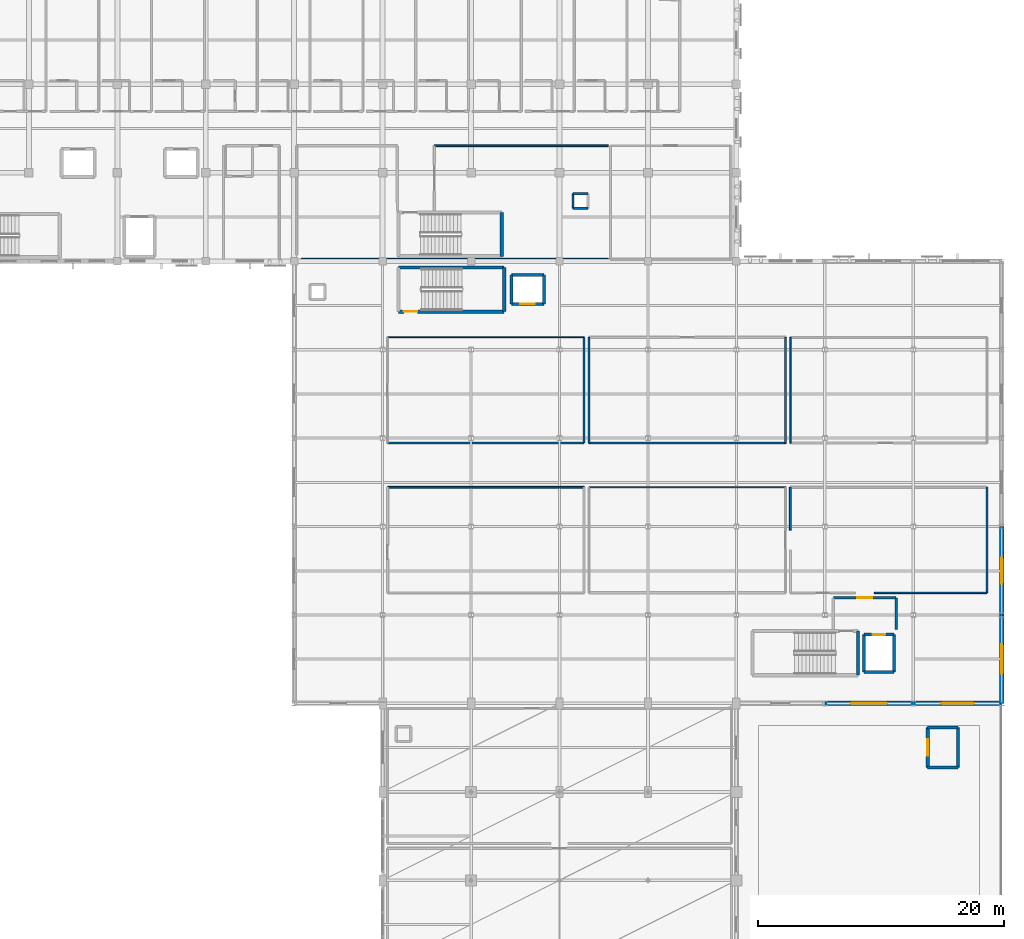
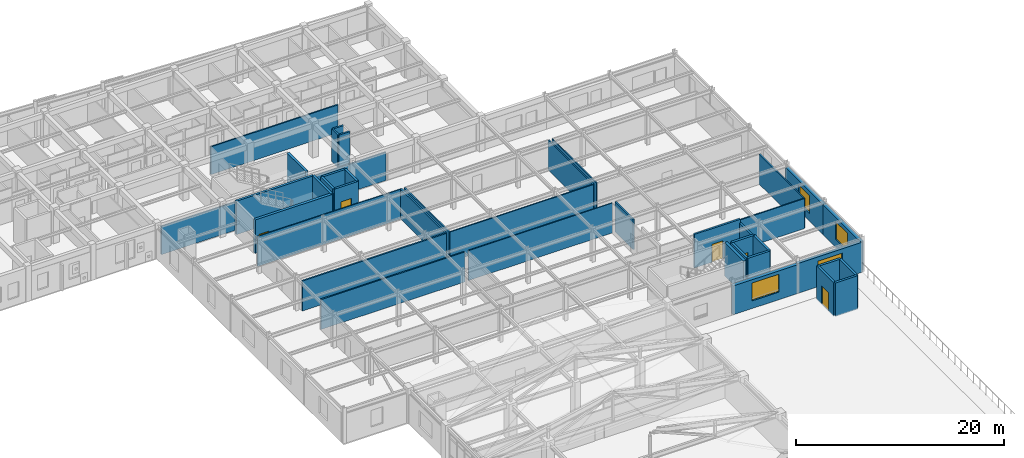
# One storey, part 99 of 113: 40 walls, 5 doors, 4 windows, 9 openings.
"""IFC4 building model written with IfcOpenShell, lengths in metres."""

from ifc_helpers import new_model, si_unit, direction, frame, frame_2d, origin, place, context, subcontext, project, spatial, rectangle, extrude, material, layer, layer_set, type_object, element, fill, save


model = new_model("IFC4")

# Units and contexts
model_context = context("Model", 3, precision=1e-05, world=origin(), true_north=direction((0.0, 1.0)))
body_context = subcontext(model_context, "Body", "Model", "MODEL_VIEW")
ifc_project = project(units=[si_unit("LENGTHUNIT", "METRE"), si_unit("AREAUNIT", "SQUARE_METRE"), si_unit("VOLUMEUNIT", "CUBIC_METRE"), si_unit("PLANEANGLEUNIT", "RADIAN"), si_unit("MASSUNIT", "GRAM", prefix="KILO")], contexts=[model_context])

# Site, building, storey
site_placement = place(None, origin())
site = spatial("IfcSite", under=ifc_project, at=site_placement, CompositionType="ELEMENT")
building_placement = place(site_placement, origin())
building = spatial("IfcBuilding", under=site, at=building_placement, Name="Carrowvane Square Congress Hotel", CompositionType="ELEMENT")
storey_placement = place(building_placement, frame((0.0, 0.0, 15.0)))
storey = spatial("IfcBuildingStorey", under=building, at=storey_placement, Name="L03", CompositionType="ELEMENT", Elevation=15.0)

# Wall, opening, window
ifc_material_1 = material(Name="Glazed terracotta rainscreen", Category="masonry")
ifc_layer_1 = layer(ifc_material_1, 0.360107421875)
ifc_layer_set_1 = layer_set([ifc_layer_1], Name="Glazed terracotta rainscreen")
wall_type_1 = type_object("IfcWallType", Name="WL-EXT-TC360", PredefinedType="STANDARD", material=ifc_layer_set_1)
wall_1_placement = place(storey_placement, frame((184.39990234375, 70.199951171875, 0.0), z_axis=(0.0, 0.0, 1.0), x_axis=(0.0, -1.0, 0.0)))
wall_1 = element("IfcWall", 1, at=wall_1_placement, inside=storey, type_object=wall_type_1, Name="L03 exterior facade wall 367", PredefinedType="STANDARD", context=body_context, shape_type="SweptSolid", body=[
    extrude(rectangle(XDim=7.199951171875, YDim=0.360107421875, at=frame_2d((3.60009765625, 0.0))), origin(), (0.0, 0.0, 1.0), 3.515625),
])
opening_1_placement = place(wall_1_placement, frame((2.550048828125, 0.0, 0.89990234375)))
opening_1 = element("IfcOpeningElement", 2, at=opening_1_placement, cuts=wall_1, Name="Opening W-11", PredefinedType="OPENING", context=body_context, shape_type="SweptSolid", body=[
    extrude(rectangle(XDim=2.10009765625, YDim=2.10009765625, at=frame_2d((1.050048828125, 1.050048828125))), frame((0.0, 0.18994140625, 0.0), z_axis=(0.0, -1.0, 0.0), x_axis=(1.0, 0.0, 0.0)), (0.0, 0.0, 1.0), 0.380126953125),
])
ifc_material_2 = material(Name="Double-glazed low-E glass", Category="glass")
window_type_1 = type_object("IfcWindowType", Name="WIN-11", PartitioningType="SINGLE_PANEL", PredefinedType="WINDOW", material=ifc_material_2)
window_1_placement = place(opening_1_placement, origin())
window_1 = element("IfcWindow", 3, at=window_1_placement, inside=storey, type_object=window_type_1, Name="L03 facade window 189", OverallHeight=2.10009765625, OverallWidth=2.10009765625, PartitioningType="SINGLE_PANEL", PredefinedType="WINDOW", context=body_context, shape_type="SweptSolid", body=[
    extrude(rectangle(XDim=2.10009765625, YDim=2.10009765625, at=frame_2d((1.050048828125, 1.050048828125))), frame((0.0, 0.030029296875, 0.0), z_axis=(0.0, -1.0, 0.0), x_axis=(1.0, 0.0, 0.0)), (0.0, 0.0, 1.0), 0.06005859375),
])
fill(opening_1, window_1)

wall_2_placement = place(storey_placement, frame((184.39990234375, 63.0, 0.0), z_axis=(0.0, 0.0, 1.0), x_axis=(0.0, -1.0, 0.0)))
wall_2 = element("IfcWall", 4, at=wall_2_placement, inside=storey, type_object=wall_type_1, Name="L03 exterior facade wall 368", PredefinedType="STANDARD", context=body_context, shape_type="SweptSolid", body=[
    extrude(rectangle(XDim=7.199951171875, YDim=0.360107421875, at=frame_2d((3.60009765625, 0.0))), origin(), (0.0, 0.0, 1.0), 3.515625),
])
opening_2_placement = place(wall_2_placement, frame((2.39990234375, 0.0, 0.89990234375)))
opening_2 = element("IfcOpeningElement", 5, at=opening_2_placement, cuts=wall_2, Name="Opening W-12", PredefinedType="OPENING", context=body_context, shape_type="SweptSolid", body=[
    extrude(rectangle(XDim=2.39990234375, YDim=2.10009765625, at=frame_2d((1.199951171875, 1.050048828125))), frame((0.0, 0.18994140625, 0.0), z_axis=(0.0, -1.0, 0.0), x_axis=(1.0, 0.0, 0.0)), (0.0, 0.0, 1.0), 0.380126953125),
])
ifc_material_3 = material(Name="Double-glazed low-E glass", Category="glass")
window_type_2 = type_object("IfcWindowType", Name="WIN-12", PartitioningType="SINGLE_PANEL", PredefinedType="WINDOW", material=ifc_material_3)
window_2_placement = place(opening_2_placement, origin())
window_2 = element("IfcWindow", 6, at=window_2_placement, inside=storey, type_object=window_type_2, Name="L03 facade window 190", OverallHeight=2.10009765625, OverallWidth=2.39990234375, PartitioningType="SINGLE_PANEL", PredefinedType="WINDOW", context=body_context, shape_type="SweptSolid", body=[
    extrude(rectangle(XDim=2.39990234375, YDim=2.10009765625, at=frame_2d((1.199951171875, 1.050048828125))), frame((0.0, 0.030029296875, 0.0), z_axis=(0.0, -1.0, 0.0), x_axis=(1.0, 0.0, 0.0)), (0.0, 0.0, 1.0), 0.06005859375),
])
fill(opening_2, window_2)

wall_3_placement = place(storey_placement, frame((184.39990234375, 55.800048828125, 0.0), z_axis=(0.0, 0.0, 1.0), x_axis=(-1.0, 0.0, 0.0)))
wall_3 = element("IfcWall", 7, at=wall_3_placement, inside=storey, type_object=wall_type_1, Name="L03 exterior facade wall 369", PredefinedType="STANDARD", context=body_context, shape_type="SweptSolid", body=[
    extrude(rectangle(XDim=7.199951171875, YDim=0.360107421875, at=frame_2d((3.60009765625, 0.0))), origin(), (0.0, 0.0, 1.0), 3.515625),
])
opening_3_placement = place(wall_3_placement, frame((2.25, 0.0, 0.89990234375)))
opening_3 = element("IfcOpeningElement", 8, at=opening_3_placement, cuts=wall_3, Name="Opening W-13", PredefinedType="OPENING", context=body_context, shape_type="SweptSolid", body=[
    extrude(rectangle(XDim=2.699951171875, YDim=2.10009765625, at=frame_2d((1.35009765625, 1.050048828125))), frame((0.0, 0.18994140625, 0.0), z_axis=(0.0, -1.0, 0.0), x_axis=(1.0, 0.0, 0.0)), (0.0, 0.0, 1.0), 0.380126953125),
])
ifc_material_4 = material(Name="Double-glazed low-E glass", Category="glass")
window_type_3 = type_object("IfcWindowType", Name="WIN-13", PartitioningType="SINGLE_PANEL", PredefinedType="WINDOW", material=ifc_material_4)
window_3_placement = place(opening_3_placement, origin())
window_3 = element("IfcWindow", 9, at=window_3_placement, inside=storey, type_object=window_type_3, Name="L03 facade window 191", OverallHeight=2.10009765625, OverallWidth=2.699951171875, PartitioningType="SINGLE_PANEL", PredefinedType="WINDOW", context=body_context, shape_type="SweptSolid", body=[
    extrude(rectangle(XDim=2.699951171875, YDim=2.10009765625, at=frame_2d((1.35009765625, 1.050048828125))), frame((0.0, 0.030029296875, 0.0), z_axis=(0.0, -1.0, 0.0), x_axis=(1.0, 0.0, 0.0)), (0.0, 0.0, 1.0), 0.06005859375),
])
fill(opening_3, window_3)

wall_4_placement = place(storey_placement, frame((177.199951171875, 55.800048828125, 0.0), z_axis=(0.0, 0.0, 1.0), x_axis=(-1.0, 0.0, 0.0)))
wall_4 = element("IfcWall", 10, at=wall_4_placement, inside=storey, type_object=wall_type_1, Name="L03 exterior facade wall 370", PredefinedType="STANDARD", context=body_context, shape_type="SweptSolid", body=[
    extrude(rectangle(XDim=7.199951171875, YDim=0.360107421875, at=frame_2d((3.60009765625, 0.0))), origin(), (0.0, 0.0, 1.0), 3.38818359375),
])
opening_4_placement = place(wall_4_placement, frame((2.10009765625, 0.0, 0.89990234375)))
opening_4 = element("IfcOpeningElement", 11, at=opening_4_placement, cuts=wall_4, Name="Opening W-14", PredefinedType="OPENING", context=body_context, shape_type="SweptSolid", body=[
    extrude(rectangle(XDim=3.0, YDim=2.10009765625, at=frame_2d((1.5, 1.050048828125))), frame((0.0, 0.18994140625, 0.0), z_axis=(0.0, -1.0, 0.0), x_axis=(1.0, 0.0, 0.0)), (0.0, 0.0, 1.0), 0.380126953125),
])
ifc_material_5 = material(Name="Double-glazed low-E glass", Category="glass")
window_type_4 = type_object("IfcWindowType", Name="WIN-14", PartitioningType="SINGLE_PANEL", PredefinedType="WINDOW", material=ifc_material_5)
window_4_placement = place(opening_4_placement, origin())
window_4 = element("IfcWindow", 12, at=window_4_placement, inside=storey, type_object=window_type_4, Name="L03 facade window 192", OverallHeight=2.10009765625, OverallWidth=3.0, PartitioningType="SINGLE_PANEL", PredefinedType="WINDOW", context=body_context, shape_type="SweptSolid", body=[
    extrude(rectangle(XDim=3.0, YDim=2.10009765625, at=frame_2d((1.5, 1.050048828125))), frame((0.0, 0.030029296875, 0.0), z_axis=(0.0, -1.0, 0.0), x_axis=(1.0, 0.0, 0.0)), (0.0, 0.0, 1.0), 0.06005859375),
])
fill(opening_4, window_4)

# Walls
ifc_material_6 = material(Name="Acoustic gypsum board", Category="gypsum")
ifc_layer_2 = layer(ifc_material_6, 0.155029296875)
ifc_layer_set_2 = layer_set([ifc_layer_2], Name="Acoustic gypsum board")
wall_type_2 = type_object("IfcWallType", Name="WL-FIR-155", PredefinedType="PARTITIONING", material=ifc_layer_set_2)
wall_5_placement = place(storey_placement, frame((167.199951171875, 69.905029296875, 0.0), z_axis=(0.0, 0.0, 1.0), x_axis=(0.0, 1.0, 0.0)))
element("IfcWall", 13, at=wall_5_placement, inside=storey, type_object=wall_type_2, Name="L03 Executive Conference Suite 303 partition", PredefinedType="PARTITIONING", context=body_context, shape_type="SweptSolid", body=[
    extrude(rectangle(XDim=3.494873046875, YDim=0.155029296875, at=frame_2d((1.74755859375, 0.0))), origin(), (0.0, 0.0, 1.0), 3.515625),
])
wall_6_placement = place(storey_placement, frame((150.800048828125, 77.0, 0.0), z_axis=(0.0, 0.0, 1.0), x_axis=(0.0, 1.0, 0.0)))
element("IfcWall", 14, at=wall_6_placement, inside=storey, type_object=wall_type_2, Name="L03 Executive Conference Suite 305 partition", PredefinedType="PARTITIONING", context=body_context, shape_type="SweptSolid", body=[
    extrude(rectangle(XDim=8.60009765625, YDim=0.155029296875, at=frame_2d((4.300048828125, 0.0))), origin(), (0.0, 0.0, 1.0), 3.515625),
])
ifc_material_7 = material(Name="Acoustic gypsum board", Category="gypsum")
ifc_layer_3 = layer(ifc_material_7, 0.169921875)
ifc_layer_set_3 = layer_set([ifc_layer_3], Name="Acoustic gypsum board")
wall_type_3 = type_object("IfcWallType", Name="WL-FIR-170", PredefinedType="PARTITIONING", material=ifc_layer_set_3)
wall_7_placement = place(storey_placement, frame((150.39990234375, 77.0, 0.0), z_axis=(0.0, 0.0, 1.0), x_axis=(-1.0, 0.0, 0.0)))
element("IfcWall", 15, at=wall_7_placement, inside=storey, type_object=wall_type_3, Name="L03 Executive Conference Suite 304 partition", PredefinedType="PARTITIONING", context=body_context, shape_type="SweptSolid", body=[
    extrude(rectangle(XDim=16.0, YDim=0.169921875, at=frame_2d((8.0, 0.0))), origin(), (0.0, 0.0, 1.0), 3.515625),
])
ifc_material_8 = material(Name="Acoustic gypsum board", Category="gypsum")
ifc_layer_4 = layer(ifc_material_8, 0.18505859375)
ifc_layer_set_4 = layer_set([ifc_layer_4], Name="Acoustic gypsum board")
wall_type_4 = type_object("IfcWallType", Name="WL-FIR-185", PredefinedType="PARTITIONING", material=ifc_layer_set_4)
wall_8_placement = place(storey_placement, frame((150.39990234375, 85.60009765625, 0.0), z_axis=(0.0, 0.0, 1.0), x_axis=(0.0, -1.0, 0.0)))
element("IfcWall", 16, at=wall_8_placement, inside=storey, type_object=wall_type_4, Name="L03 Executive Conference Suite 304 partition", PredefinedType="PARTITIONING", context=body_context, shape_type="SweptSolid", body=[
    extrude(rectangle(XDim=8.60009765625, YDim=0.18505859375, at=frame_2d((4.300048828125, 0.0))), origin(), (0.0, 0.0, 1.0), 3.515625),
])
ifc_material_9 = material(Name="Acoustic gypsum board", Category="gypsum")
ifc_layer_5 = layer(ifc_material_9, 0.205078125)
ifc_layer_set_5 = layer_set([ifc_layer_5], Name="Acoustic gypsum board")
wall_type_5 = type_object("IfcWallType", Name="WL-FIR-205", PredefinedType="PARTITIONING", material=ifc_layer_set_5)
wall_9_placement = place(storey_placement, frame((175.800048828125, 61.800048828125, 0.0), z_axis=(0.0, 0.0, 1.0), x_axis=(0.0, 1.0, 0.0)))
element("IfcWall", 17, at=wall_9_placement, inside=storey, type_object=wall_type_5, Name="L03 Firefighting Lobby C4 wall east", PredefinedType="PARTITIONING", context=body_context, shape_type="SweptSolid", body=[
    extrude(rectangle(XDim=2.599853515625, YDim=0.205078125, at=frame_2d((1.2998046875, 0.0))), origin(), (0.0, 0.0, 1.0), 3.515625),
])

# Wall, opening, door
wall_10_placement = place(storey_placement, frame((175.800048828125, 64.39990234375, 0.0), z_axis=(0.0, 0.0, 1.0), x_axis=(-1.0, 0.0, 0.0)))
wall_10 = element("IfcWall", 18, at=wall_10_placement, inside=storey, type_object=wall_type_5, Name="L03 Firefighting Lobby C4 wall north", PredefinedType="PARTITIONING", context=body_context, shape_type="SweptSolid", body=[
    extrude(rectangle(XDim=5.10009765625, YDim=0.205078125, at=frame_2d((2.550048828125, 0.0))), origin(), (0.0, 0.0, 1.0), 3.93994140625),
])
opening_5_placement = place(wall_10_placement, frame((1.949951171875, 0.0, 0.0)))
opening_5 = element("IfcOpeningElement", 19, at=opening_5_placement, cuts=wall_10, Name="Opening FD-02", PredefinedType="OPENING", context=body_context, shape_type="SweptSolid", body=[
    extrude(rectangle(XDim=1.199951171875, YDim=2.10009765625, at=frame_2d((0.60009765625, 1.050048828125))), frame((0.0, 0.112548828125, 0.0), z_axis=(0.0, -1.0, 0.0), x_axis=(1.0, 0.0, 0.0)), (0.0, 0.0, 1.0), 0.22509765625),
])
ifc_material_10 = material(Name="European oak timber", Category="wood")
door_type_1 = type_object("IfcDoorType", Name="DR-FD60-1200x2100", OperationType="NOTDEFINED", PredefinedType="DOOR", material=ifc_material_10)
door_1_placement = place(opening_5_placement, origin())
door_1 = element("IfcDoor", 20, at=door_1_placement, inside=storey, type_object=door_type_1, Name="L03 Firefighting Lobby C4 entrance door", OperationType="SINGLE_SWING_RIGHT", OverallHeight=2.10009765625, OverallWidth=1.199951171875, PredefinedType="DOOR", context=body_context, shape_type="SweptSolid", body=[
    extrude(rectangle(XDim=1.199951171875, YDim=2.10009765625, at=frame_2d((0.60009765625, 1.050048828125))), frame((0.0, 0.02490234375, 0.0), z_axis=(0.0, -1.0, 0.0), x_axis=(1.0, 0.0, 0.0)), (0.0, 0.0, 1.0), 0.050048828125),
])
fill(opening_5, door_1)

# Walls
ifc_material_11 = material(Name="Standing-seam zinc cladding", Category="metal")
ifc_layer_6 = layer(ifc_material_11, 0.195068359375)
ifc_layer_set_6 = layer_set([ifc_layer_6], Name="Standing-seam zinc cladding")
wall_type_6 = type_object("IfcWallType", Name="WL-PAR-195", PredefinedType="PARAPET", material=ifc_layer_set_6)
for number, where, z_axis, x_axis, name in (
    (21, (149.5, 96.10009765625, 0.0), (0.0, 0.0, 1.0), (1.0, 0.0, 0.0), "L03 service riser RSR-V5E enclosure S"),
    (22, (150.699951171875, 97.300048828125, 0.0), (0.0, 0.0, 1.0), (-1.0, 0.0, 0.0), "L03 service riser RSR-V5E enclosure N"),
    (23, (149.5, 97.300048828125, 0.0), (0.0, 0.0, 1.0), (0.0, -1.0, 0.0), "L03 service riser RSR-V5E enclosure W"),
):
    element("IfcWall", number, at=place(storey_placement, frame(where, z_axis=z_axis, x_axis=x_axis)), inside=storey, type_object=wall_type_6, Name=name, PredefinedType="PARAPET", context=body_context, shape_type="SweptSolid", body=[
        extrude(rectangle(XDim=1.199951171875, YDim=0.195068359375, at=frame_2d((0.60009765625, 0.0))), origin(), (0.0, 0.0, 1.0), 3.800048828125),
    ])
ifc_material_12 = material(Name="Acoustic gypsum board", Category="gypsum")
ifc_layer_7 = layer(ifc_material_12, 0.097900390625)
ifc_layer_set_7 = layer_set([ifc_layer_7], Name="Acoustic gypsum board")
wall_type_7 = type_object("IfcWallType", Name="WL-PRT-098", PredefinedType="PARTITIONING", material=ifc_layer_set_7)
wall_11_placement = place(storey_placement, frame((134.39990234375, 85.60009765625, 0.0), z_axis=(0.0, 0.0, 1.0), x_axis=(1.0, 0.0, 0.0)))
element("IfcWall", 24, at=wall_11_placement, inside=storey, type_object=wall_type_7, Name="L03 Executive Conference Suite 304 partition", PredefinedType="PARTITIONING", context=body_context, shape_type="SweptSolid", body=[
    extrude(rectangle(XDim=16.0, YDim=0.097900390625, at=frame_2d((8.0, 0.0))), origin(), (0.0, 0.0, 1.0), 3.515625),
])
ifc_material_13 = material(Name="Acoustic gypsum board", Category="gypsum")
ifc_layer_8 = layer(ifc_material_13, 0.10791015625)
ifc_layer_set_8 = layer_set([ifc_layer_8], Name="Acoustic gypsum board")
wall_type_8 = type_object("IfcWallType", Name="WL-PRT-108", PredefinedType="PARTITIONING", material=ifc_layer_set_8)
wall_12_placement = place(storey_placement, frame((150.800048828125, 73.39990234375, 0.0), z_axis=(0.0, 0.0, 1.0), x_axis=(1.0, 0.0, 0.0)))
element("IfcWall", 25, at=wall_12_placement, inside=storey, type_object=wall_type_8, Name="L03 Executive Conference Suite 302 partition", PredefinedType="PARTITIONING", context=body_context, shape_type="SweptSolid", body=[
    extrude(rectangle(XDim=16.0, YDim=0.10791015625, at=frame_2d((8.0, 0.0))), origin(), (0.0, 0.0, 1.0), 3.515625),
])
ifc_material_14 = material(Name="Acoustic gypsum board", Category="gypsum")
ifc_layer_9 = layer(ifc_material_14, 0.117919921875)
ifc_layer_set_9 = layer_set([ifc_layer_9], Name="Acoustic gypsum board")
wall_type_9 = type_object("IfcWallType", Name="WL-PRT-118", PredefinedType="PARTITIONING", material=ifc_layer_set_9)
wall_13_placement = place(storey_placement, frame((167.199951171875, 77.0, 0.0), z_axis=(0.0, 0.0, 1.0), x_axis=(0.0, 1.0, 0.0)))
element("IfcWall", 26, at=wall_13_placement, inside=storey, type_object=wall_type_9, Name="L03 Executive Conference Suite 306 partition", PredefinedType="PARTITIONING", context=body_context, shape_type="SweptSolid", body=[
    extrude(rectangle(XDim=8.60009765625, YDim=0.117919921875, at=frame_2d((4.300048828125, 0.0))), origin(), (0.0, 0.0, 1.0), 3.515625),
])
ifc_material_15 = material(Name="Acoustic gypsum board", Category="gypsum")
ifc_layer_10 = layer(ifc_material_15, 0.1279296875)
ifc_layer_set_10 = layer_set([ifc_layer_10], Name="Acoustic gypsum board")
wall_type_10 = type_object("IfcWallType", Name="WL-PRT-128", PredefinedType="PARTITIONING", material=ifc_layer_set_10)
wall_14_placement = place(storey_placement, frame((183.199951171875, 64.800048828125, 0.0), z_axis=(0.0, 0.0, 1.0), x_axis=(-1.0, 0.0, 0.0)))
element("IfcWall", 27, at=wall_14_placement, inside=storey, type_object=wall_type_10, Name="L03 Executive Conference Suite 303 partition", PredefinedType="PARTITIONING", context=body_context, shape_type="SweptSolid", body=[
    extrude(rectangle(XDim=9.169921875, YDim=0.1279296875, at=frame_2d((4.5849609375, 0.0))), origin(), (0.0, 0.0, 1.0), 3.515625),
])
wall_15_placement = place(storey_placement, frame((166.800048828125, 77.0, 0.0), z_axis=(0.0, 0.0, 1.0), x_axis=(-1.0, 0.0, 0.0)))
element("IfcWall", 28, at=wall_15_placement, inside=storey, type_object=wall_type_10, Name="L03 Executive Conference Suite 305 partition", PredefinedType="PARTITIONING", context=body_context, shape_type="SweptSolid", body=[
    extrude(rectangle(XDim=16.0, YDim=0.1279296875, at=frame_2d((8.0, 0.0))), origin(), (0.0, 0.0, 1.0), 3.515625),
])
ifc_material_16 = material(Name="Acoustic gypsum board", Category="gypsum")
ifc_layer_11 = layer(ifc_material_16, 0.137939453125)
ifc_layer_set_11 = layer_set([ifc_layer_11], Name="Acoustic gypsum board")
wall_type_11 = type_object("IfcWallType", Name="WL-PRT-138", PredefinedType="PARTITIONING", material=ifc_layer_set_11)
wall_16_placement = place(storey_placement, frame((183.199951171875, 73.39990234375, 0.0), z_axis=(0.0, 0.0, 1.0), x_axis=(0.0, -1.0, 0.0)))
element("IfcWall", 29, at=wall_16_placement, inside=storey, type_object=wall_type_11, Name="L03 Executive Conference Suite 303 partition", PredefinedType="PARTITIONING", context=body_context, shape_type="SweptSolid", body=[
    extrude(rectangle(XDim=8.599853515625, YDim=0.137939453125, at=frame_2d((4.2998046875, 0.0))), origin(), (0.0, 0.0, 1.0), 3.515625),
])
wall_17_placement = place(storey_placement, frame((166.800048828125, 85.60009765625, 0.0), z_axis=(0.0, 0.0, 1.0), x_axis=(0.0, -1.0, 0.0)))
element("IfcWall", 30, at=wall_17_placement, inside=storey, type_object=wall_type_11, Name="L03 Executive Conference Suite 305 partition", PredefinedType="PARTITIONING", context=body_context, shape_type="SweptSolid", body=[
    extrude(rectangle(XDim=8.60009765625, YDim=0.137939453125, at=frame_2d((4.300048828125, 0.0))), origin(), (0.0, 0.0, 1.0), 3.515625),
])
ifc_material_17 = material(Name="Acoustic gypsum board", Category="gypsum")
ifc_layer_12 = layer(ifc_material_17, 0.14794921875)
ifc_layer_set_12 = layer_set([ifc_layer_12], Name="Acoustic gypsum board")
wall_type_12 = type_object("IfcWallType", Name="WL-PRT-148", PredefinedType="PARTITIONING", material=ifc_layer_set_12)
wall_18_placement = place(storey_placement, frame((152.35009765625, 91.9599609375, 0.0), z_axis=(0.0, 0.0, 1.0), x_axis=(-1.0, 0.0, 0.0)))
element("IfcWall", 31, at=wall_18_placement, inside=storey, type_object=wall_type_12, Name="L03 L03 East Delegate Linen and Service Room partition", PredefinedType="PARTITIONING", context=body_context, shape_type="SweptSolid", body=[
    extrude(rectangle(XDim=24.989990234375, YDim=0.14794921875, at=frame_2d((12.4951171875, 0.0))), origin(), (0.0, 0.0, 1.0), 3.324951171875),
])
wall_19_placement = place(storey_placement, frame((138.2099609375, 101.199951171875, 0.0), z_axis=(0.0, 0.0, 1.0), x_axis=(1.0, 0.0, 0.0)))
element("IfcWall", 32, at=wall_19_placement, inside=storey, type_object=wall_type_12, Name="L03 L03 East Delegate Linen and Service Room partition", PredefinedType="PARTITIONING", context=body_context, shape_type="SweptSolid", body=[
    extrude(rectangle(XDim=14.14013671875, YDim=0.14794921875, at=frame_2d((7.070068359375, 0.0))), origin(), (0.0, 0.0, 1.0), 3.27490234375),
])
wall_20_placement = place(storey_placement, frame((134.39990234375, 73.39990234375, 0.0), z_axis=(0.0, 0.0, 1.0), x_axis=(1.0, 0.0, 0.0)))
element("IfcWall", 33, at=wall_20_placement, inside=storey, type_object=wall_type_12, Name="L03 Executive Conference Suite 301 partition", PredefinedType="PARTITIONING", context=body_context, shape_type="SweptSolid", body=[
    extrude(rectangle(XDim=16.0, YDim=0.14794921875, at=frame_2d((8.0, 0.0))), origin(), (0.0, 0.0, 1.0), 3.515625),
])
ifc_material_18 = material(Name="Concrete C40/50", Category="concrete")
ifc_layer_13 = layer(ifc_material_18, 0.25)
ifc_layer_set_13 = layer_set([ifc_layer_13], Name="Concrete C40/50")
wall_type_13 = type_object("IfcWallType", Name="WL-SHR-250", PredefinedType="SHEAR", material=ifc_layer_set_13)
wall_21_placement = place(storey_placement, frame((143.89990234375, 91.300048828125, 0.0), z_axis=(0.0, 0.0, 1.0), x_axis=(-1.0, 0.0, 0.0)))
element("IfcWall", 34, at=wall_21_placement, inside=storey, type_object=wall_type_13, Name="L03 ST8 core wall north", PredefinedType="SHEAR", context=body_context, shape_type="SweptSolid", body=[
    extrude(rectangle(XDim=8.599853515625, YDim=0.25, at=frame_2d((4.2998046875, 0.0))), origin(), (0.0, 0.0, 1.0), 3.93994140625),
])
wall_22_placement = place(storey_placement, frame((173.175048828125, 58.375, 0.0), z_axis=(0.0, 0.0, 1.0), x_axis=(1.0, 0.0, 0.0)))
element("IfcWall", 35, at=wall_22_placement, inside=storey, type_object=wall_type_13, Name="L03 FFL-3 shaft wall south", PredefinedType="SHEAR", context=body_context, shape_type="SweptSolid", body=[
    extrude(rectangle(XDim=2.449951171875, YDim=0.25, at=frame_2d((1.22509765625, 0.0))), origin(), (0.0, 0.0, 1.0), 3.93994140625),
])
wall_23_placement = place(storey_placement, frame((175.625, 58.375, 0.0), z_axis=(0.0, 0.0, 1.0), x_axis=(0.0, 1.0, 0.0)))
element("IfcWall", 36, at=wall_23_placement, inside=storey, type_object=wall_type_13, Name="L03 FFL-3 shaft wall east", PredefinedType="SHEAR", context=body_context, shape_type="SweptSolid", body=[
    extrude(rectangle(XDim=3.050048828125, YDim=0.25, at=frame_2d((1.52490234375, 0.0))), origin(), (0.0, 0.0, 1.0), 3.93994140625),
])

# Wall, opening, door
wall_24_placement = place(storey_placement, frame((175.625, 61.425048828125, 0.0), z_axis=(0.0, 0.0, 1.0), x_axis=(-1.0, 0.0, 0.0)))
wall_24 = element("IfcWall", 37, at=wall_24_placement, inside=storey, type_object=wall_type_13, Name="L03 FFL-3 shaft wall north", PredefinedType="SHEAR", context=body_context, shape_type="SweptSolid", body=[
    extrude(rectangle(XDim=2.449951171875, YDim=0.25, at=frame_2d((1.22509765625, 0.0))), origin(), (0.0, 0.0, 1.0), 3.93994140625),
])
opening_6_placement = place(wall_24_placement, frame((0.72509765625, 0.0, 0.0)))
opening_6 = element("IfcOpeningElement", 38, at=opening_6_placement, cuts=wall_24, Name="Opening LD-FFL-3", PredefinedType="OPENING", context=body_context, shape_type="SweptSolid", body=[
    extrude(rectangle(XDim=1.0, YDim=2.14990234375, at=frame_2d((0.5, 1.074951171875))), frame((0.0, 0.135009765625, 0.0), z_axis=(0.0, -1.0, 0.0), x_axis=(1.0, 0.0, 0.0)), (0.0, 0.0, 1.0), 0.27001953125),
])
ifc_material_19 = material(Name="Stainless steel 316", Category="steel")
door_type_2 = type_object("IfcDoorType", Name="DR-LD-1000x2150", OperationType="DOUBLE_DOOR_SLIDING", PredefinedType="DOOR", material=ifc_material_19)
door_2_placement = place(opening_6_placement, origin())
door_2 = element("IfcDoor", 39, at=door_2_placement, inside=storey, type_object=door_type_2, Name="L03 FFL-3 sliding lift landing door", OperationType="DOUBLE_DOOR_SLIDING", OverallHeight=2.14990234375, OverallWidth=1.0, PredefinedType="DOOR", context=body_context, shape_type="SweptSolid", body=[
    extrude(rectangle(XDim=1.0, YDim=2.14990234375, at=frame_2d((0.5, 1.074951171875))), frame((0.0, 0.02490234375, 0.0), z_axis=(0.0, -1.0, 0.0), x_axis=(1.0, 0.0, 0.0)), (0.0, 0.0, 1.0), 0.050048828125),
])
fill(opening_6, door_2)

# Wall
wall_25_placement = place(storey_placement, frame((173.175048828125, 61.425048828125, 0.0), z_axis=(0.0, 0.0, 1.0), x_axis=(0.0, -1.0, 0.0)))
element("IfcWall", 40, at=wall_25_placement, inside=storey, type_object=wall_type_13, Name="L03 FFL-3 shaft wall west", PredefinedType="SHEAR", context=body_context, shape_type="SweptSolid", body=[
    extrude(rectangle(XDim=3.050048828125, YDim=0.25, at=frame_2d((1.52490234375, 0.0))), origin(), (0.0, 0.0, 1.0), 3.93994140625),
])

# Wall, opening, door
wall_26_placement = place(storey_placement, frame((144.47509765625, 88.324951171875, 0.0), z_axis=(0.0, 0.0, 1.0), x_axis=(1.0, 0.0, 0.0)))
wall_26 = element("IfcWall", 41, at=wall_26_placement, inside=storey, type_object=wall_type_13, Name="L03 CL-3 shaft wall south", PredefinedType="SHEAR", context=body_context, shape_type="SweptSolid", body=[
    extrude(rectangle(XDim=2.64990234375, YDim=0.25, at=frame_2d((1.324951171875, 0.0))), origin(), (0.0, 0.0, 1.0), 3.93994140625),
])
opening_7_placement = place(wall_26_placement, frame((0.72509765625, 0.0, 0.0)))
opening_7 = element("IfcOpeningElement", 42, at=opening_7_placement, cuts=wall_26, Name="Opening LD-CL-3", PredefinedType="OPENING", context=body_context, shape_type="SweptSolid", body=[
    extrude(rectangle(XDim=1.199951171875, YDim=2.199951171875, at=frame_2d((0.60009765625, 1.10009765625))), frame((0.0, 0.135009765625, 0.0), z_axis=(0.0, -1.0, 0.0), x_axis=(1.0, 0.0, 0.0)), (0.0, 0.0, 1.0), 0.27001953125),
])
ifc_material_20 = material(Name="Stainless steel 316", Category="steel")
door_type_3 = type_object("IfcDoorType", Name="DR-LD-1200x2200", OperationType="DOUBLE_DOOR_SLIDING", PredefinedType="DOOR", material=ifc_material_20)
door_3_placement = place(opening_7_placement, origin())
door_3 = element("IfcDoor", 43, at=door_3_placement, inside=storey, type_object=door_type_3, Name="L03 CL-3 sliding lift landing door", OperationType="DOUBLE_DOOR_SLIDING", OverallHeight=2.199951171875, OverallWidth=1.199951171875, PredefinedType="DOOR", context=body_context, shape_type="SweptSolid", body=[
    extrude(rectangle(XDim=1.199951171875, YDim=2.199951171875, at=frame_2d((0.60009765625, 1.10009765625))), frame((0.0, 0.02490234375, 0.0), z_axis=(0.0, -1.0, 0.0), x_axis=(1.0, 0.0, 0.0)), (0.0, 0.0, 1.0), 0.050048828125),
])
fill(opening_7, door_3)

# Walls
wall_27_placement = place(storey_placement, frame((147.125, 88.324951171875, 0.0), z_axis=(0.0, 0.0, 1.0), x_axis=(0.0, 1.0, 0.0)))
element("IfcWall", 44, at=wall_27_placement, inside=storey, type_object=wall_type_13, Name="L03 CL-3 shaft wall east", PredefinedType="SHEAR", context=body_context, shape_type="SweptSolid", body=[
    extrude(rectangle(XDim=2.35009765625, YDim=0.25, at=frame_2d((1.175048828125, 0.0))), origin(), (0.0, 0.0, 1.0), 3.93994140625),
])
wall_28_placement = place(storey_placement, frame((147.125, 90.675048828125, 0.0), z_axis=(0.0, 0.0, 1.0), x_axis=(-1.0, 0.0, 0.0)))
element("IfcWall", 45, at=wall_28_placement, inside=storey, type_object=wall_type_13, Name="L03 CL-3 shaft wall north", PredefinedType="SHEAR", context=body_context, shape_type="SweptSolid", body=[
    extrude(rectangle(XDim=2.64990234375, YDim=0.25, at=frame_2d((1.324951171875, 0.0))), origin(), (0.0, 0.0, 1.0), 3.93994140625),
])
wall_29_placement = place(storey_placement, frame((144.47509765625, 90.675048828125, 0.0), z_axis=(0.0, 0.0, 1.0), x_axis=(0.0, -1.0, 0.0)))
element("IfcWall", 46, at=wall_29_placement, inside=storey, type_object=wall_type_13, Name="L03 CL-3 shaft wall west", PredefinedType="SHEAR", context=body_context, shape_type="SweptSolid", body=[
    extrude(rectangle(XDim=2.35009765625, YDim=0.25, at=frame_2d((1.175048828125, 0.0))), origin(), (0.0, 0.0, 1.0), 3.93994140625),
])
wall_30_placement = place(storey_placement, frame((178.375, 50.574951171875, 0.0), z_axis=(0.0, 0.0, 1.0), x_axis=(1.0, 0.0, 0.0)))
element("IfcWall", 47, at=wall_30_placement, inside=storey, type_object=wall_type_13, Name="L03 GL-1 shaft wall south", PredefinedType="SHEAR", context=body_context, shape_type="SweptSolid", body=[
    extrude(rectangle(XDim=2.449951171875, YDim=0.25, at=frame_2d((1.22509765625, 0.0))), origin(), (0.0, 0.0, 1.0), 3.93994140625),
])
wall_31_placement = place(storey_placement, frame((180.824951171875, 50.574951171875, 0.0), z_axis=(0.0, 0.0, 1.0), x_axis=(0.0, 1.0, 0.0)))
element("IfcWall", 48, at=wall_31_placement, inside=storey, type_object=wall_type_13, Name="L03 GL-1 shaft wall east", PredefinedType="SHEAR", context=body_context, shape_type="SweptSolid", body=[
    extrude(rectangle(XDim=3.25, YDim=0.25, at=frame_2d((1.625, 0.0))), origin(), (0.0, 0.0, 1.0), 3.93994140625),
])
wall_32_placement = place(storey_placement, frame((180.824951171875, 53.824951171875, 0.0), z_axis=(0.0, 0.0, 1.0), x_axis=(-1.0, 0.0, 0.0)))
element("IfcWall", 49, at=wall_32_placement, inside=storey, type_object=wall_type_13, Name="L03 GL-1 shaft wall north", PredefinedType="SHEAR", context=body_context, shape_type="SweptSolid", body=[
    extrude(rectangle(XDim=2.449951171875, YDim=0.25, at=frame_2d((1.22509765625, 0.0))), origin(), (0.0, 0.0, 1.0), 3.93994140625),
])

# Wall, opening, door
wall_33_placement = place(storey_placement, frame((178.375, 53.824951171875, 0.0), z_axis=(0.0, 0.0, 1.0), x_axis=(0.0, -1.0, 0.0)))
wall_33 = element("IfcWall", 50, at=wall_33_placement, inside=storey, type_object=wall_type_13, Name="L03 GL-1 shaft wall west", PredefinedType="SHEAR", context=body_context, shape_type="SweptSolid", body=[
    extrude(rectangle(XDim=3.25, YDim=0.25, at=frame_2d((1.625, 0.0))), origin(), (0.0, 0.0, 1.0), 3.93994140625),
])
opening_8_placement = place(wall_33_placement, frame((0.949951171875, 0.0, 0.0)))
opening_8 = element("IfcOpeningElement", 51, at=opening_8_placement, cuts=wall_33, Name="Opening LD-GL-1", PredefinedType="OPENING", context=body_context, shape_type="SweptSolid", body=[
    extrude(rectangle(XDim=1.35009765625, YDim=2.199951171875, at=frame_2d((0.675048828125, 1.10009765625))), frame((0.0, 0.135009765625, 0.0), z_axis=(0.0, -1.0, 0.0), x_axis=(1.0, 0.0, 0.0)), (0.0, 0.0, 1.0), 0.27001953125),
])
ifc_material_21 = material(Name="Stainless steel 316", Category="steel")
door_type_4 = type_object("IfcDoorType", Name="DR-LD-1350x2200", OperationType="DOUBLE_DOOR_SLIDING", PredefinedType="DOOR", material=ifc_material_21)
door_4_placement = place(opening_8_placement, origin())
door_4 = element("IfcDoor", 52, at=door_4_placement, inside=storey, type_object=door_type_4, Name="L03 GL-1 sliding lift landing door", OperationType="DOUBLE_DOOR_SLIDING", OverallHeight=2.199951171875, OverallWidth=1.35009765625, PredefinedType="DOOR", context=body_context, shape_type="SweptSolid", body=[
    extrude(rectangle(XDim=1.35009765625, YDim=2.199951171875, at=frame_2d((0.675048828125, 1.10009765625))), frame((0.0, 0.02490234375, 0.0), z_axis=(0.0, -1.0, 0.0), x_axis=(1.0, 0.0, 0.0)), (0.0, 0.0, 1.0), 0.050048828125),
])
fill(opening_8, door_4)

# Walls
ifc_material_22 = material(Name="Concrete C40/50", Category="concrete")
ifc_layer_14 = layer(ifc_material_22, 0.27490234375)
ifc_layer_set_14 = layer_set([ifc_layer_14], Name="Concrete C40/50")
wall_type_14 = type_object("IfcWallType", Name="WL-SHR-275", PredefinedType="SHEAR", material=ifc_layer_set_14)
wall_34_placement = place(storey_placement, frame((172.699951171875, 58.10009765625, 0.0), z_axis=(0.0, 0.0, 1.0), x_axis=(0.0, 1.0, 0.0)))
element("IfcWall", 53, at=wall_34_placement, inside=storey, type_object=wall_type_14, Name="L03 ST4 core wall east", PredefinedType="SHEAR", context=body_context, shape_type="SweptSolid", body=[
    extrude(rectangle(XDim=3.599853515625, YDim=0.27490234375, at=frame_2d((1.7998046875, 0.0))), origin(), (0.0, 0.0, 1.0), 3.93994140625),
])
wall_35_placement = place(storey_placement, frame((143.89990234375, 87.699951171875, 0.0), z_axis=(0.0, 0.0, 1.0), x_axis=(0.0, 1.0, 0.0)))
element("IfcWall", 54, at=wall_35_placement, inside=storey, type_object=wall_type_14, Name="L03 ST8 core wall east", PredefinedType="SHEAR", context=body_context, shape_type="SweptSolid", body=[
    extrude(rectangle(XDim=3.60009765625, YDim=0.27490234375, at=frame_2d((1.800048828125, 0.0))), origin(), (0.0, 0.0, 1.0), 3.93994140625),
])
wall_36_placement = place(storey_placement, frame((143.699951171875, 92.199951171875, 0.0), z_axis=(0.0, 0.0, 1.0), x_axis=(0.0, 1.0, 0.0)))
element("IfcWall", 55, at=wall_36_placement, inside=storey, type_object=wall_type_14, Name="L03 ST12 core wall east", PredefinedType="SHEAR", context=body_context, shape_type="SweptSolid", body=[
    extrude(rectangle(XDim=3.56005859375, YDim=0.27490234375, at=frame_2d((1.780029296875, 0.0))), origin(), (0.0, 0.0, 1.0), 3.93994140625),
])

# Wall, opening, door
ifc_material_23 = material(Name="Concrete C40/50", Category="concrete")
ifc_layer_15 = layer(ifc_material_23, 0.300048828125)
ifc_layer_set_15 = layer_set([ifc_layer_15], Name="Concrete C40/50")
wall_type_15 = type_object("IfcWallType", Name="WL-SHR-300", PredefinedType="SHEAR", material=ifc_layer_set_15)
wall_37_placement = place(storey_placement, frame((135.300048828125, 87.699951171875, 0.0), z_axis=(0.0, 0.0, 1.0), x_axis=(1.0, 0.0, 0.0)))
wall_37 = element("IfcWall", 56, at=wall_37_placement, inside=storey, type_object=wall_type_15, Name="L03 ST8 core wall south", PredefinedType="SHEAR", context=body_context, shape_type="SweptSolid", body=[
    extrude(rectangle(XDim=8.599853515625, YDim=0.300048828125, at=frame_2d((4.2998046875, 0.0))), origin(), (0.0, 0.0, 1.0), 3.93994140625),
])
opening_9_placement = place(wall_37_placement, frame((0.425048828125, 0.0, 0.0)))
opening_9 = element("IfcOpeningElement", 57, at=opening_9_placement, cuts=wall_37, Name="Opening FD-01", PredefinedType="OPENING", context=body_context, shape_type="SweptSolid", body=[
    extrude(rectangle(XDim=1.10009765625, YDim=2.10009765625, at=frame_2d((0.550048828125, 1.050048828125))), frame((0.0, 0.159912109375, 0.0), z_axis=(0.0, -1.0, 0.0), x_axis=(1.0, 0.0, 0.0)), (0.0, 0.0, 1.0), 0.320068359375),
])
ifc_material_24 = material(Name="European oak timber", Category="wood")
door_type_5 = type_object("IfcDoorType", Name="DR-FD60-1100x2100", OperationType="NOTDEFINED", PredefinedType="DOOR", material=ifc_material_24)
door_5_placement = place(opening_9_placement, origin())
door_5 = element("IfcDoor", 58, at=door_5_placement, inside=storey, type_object=door_type_5, Name="L03 ST8 fire door", OperationType="SINGLE_SWING_RIGHT", OverallHeight=2.10009765625, OverallWidth=1.10009765625, PredefinedType="DOOR", context=body_context, shape_type="SweptSolid", body=[
    extrude(rectangle(XDim=1.10009765625, YDim=2.10009765625, at=frame_2d((0.550048828125, 1.050048828125))), frame((0.0, 0.02490234375, 0.0), z_axis=(0.0, -1.0, 0.0), x_axis=(1.0, 0.0, 0.0)), (0.0, 0.0, 1.0), 0.050048828125),
])
fill(opening_9, door_5)

save(model, "model.ifc")
